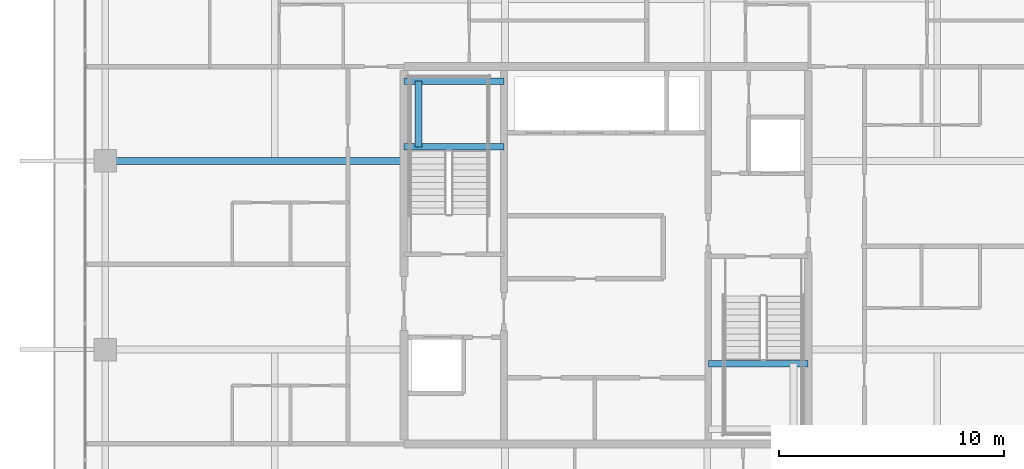
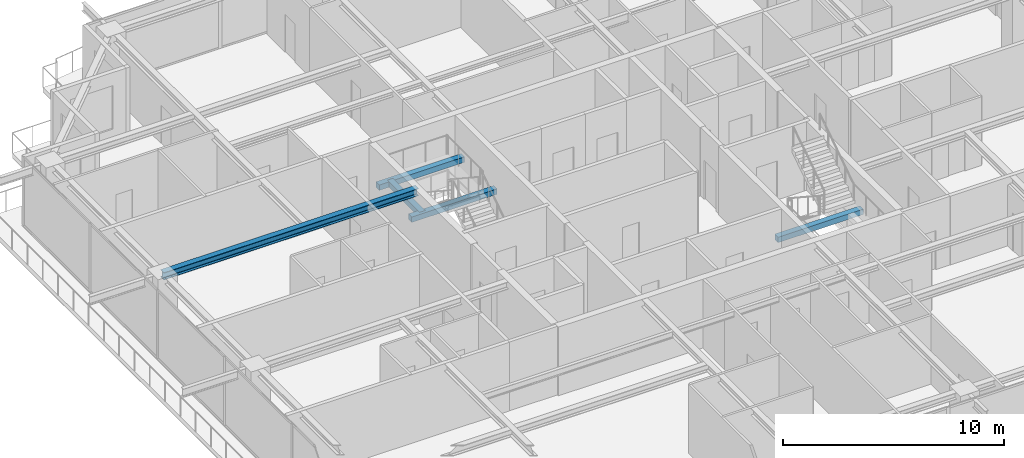
# One storey, part 11 of 39: 5 beams.
"""IFC4 building model written with IfcOpenShell, lengths in metres."""

from ifc_helpers import new_model, si_unit, direction, frame, origin, origin_2d, place, context, subcontext, project, spatial, rectangle, i_section, extrude, source, transform, mapped, material, material_profile, profile_set, type_object, element, save


model = new_model("IFC4")

# Units and contexts
model_context = context("Model", 3, precision=1e-05, world=origin(), true_north=direction((0.0, 1.0)))
body_context = subcontext(model_context, "Body", "Model", "MODEL_VIEW")
ifc_project = project(units=[si_unit("LENGTHUNIT", "METRE"), si_unit("AREAUNIT", "SQUARE_METRE"), si_unit("VOLUMEUNIT", "CUBIC_METRE"), si_unit("PLANEANGLEUNIT", "RADIAN"), si_unit("MASSUNIT", "GRAM", prefix="KILO")], contexts=[model_context])

# Site, building, storey
site_placement = place(None, origin())
site = spatial("IfcSite", under=ifc_project, at=site_placement, CompositionType="ELEMENT")
building_placement = place(site_placement, origin())
building = spatial("IfcBuilding", under=site, at=building_placement, Name="Serunith Strait Residences", CompositionType="ELEMENT")
storey_placement = place(building_placement, frame((0.0, 0.0, 329.89990234375)))
storey = spatial("IfcBuildingStorey", under=building, at=storey_placement, Name="L82", CompositionType="ELEMENT", Elevation=329.89990234375)

# Beams
ifc_material_1 = material(Name="Steel S355J2", Category="steel")
ifc_material_profile_1 = material_profile(ifc_material_1, i_section(OverallWidth=0.300048828125, OverallDepth=0.39990234375, WebThickness=0.013427734375, FlangeThickness=0.02392578125, FilletRadius=0.027099609375, at=origin_2d()), Name="HEB 400")
ifc_profile_set_1 = profile_set([ifc_material_profile_1], Name="Steel S355J2")
beam_type_1 = type_object("IfcBeamType", Name="BM-HEB400", PredefinedType="BEAM", material=ifc_profile_set_1)
shared_shape_1 = source(origin(), body_context, "Body", "SweptSolid", [
    extrude(i_section(OverallWidth=0.300048828125, OverallDepth=0.39990234375, WebThickness=0.013427734375, FlangeThickness=0.02392578125, FilletRadius=0.027099609375, at=origin_2d()), origin(), (0.0, 0.0, 1.0), 13.2998046875),
])
beam_1_placement = place(storey_placement, frame((23.39990234375, 29.39990234375, 3.587158203125), z_axis=(-1.0, 0.0, 0.0), x_axis=(0.0, -1.0, 0.0)))
element("IfcBeam", 1, at=beam_1_placement, inside=storey, type_object=beam_type_1, Name="L82 Primary Floor Girder TC-W3", PredefinedType="BEAM", context=body_context, shape_type="MappedRepresentation", body=[
    mapped(shared_shape_1, transform((0.0, 0.0, 0.0), scale=1.0)),
])
ifc_material_2 = material(Name="Concrete C60/75", Category="concrete")
ifc_material_profile_2 = material_profile(ifc_material_2, rectangle(XDim=0.300048828125, YDim=0.300048828125, at=origin_2d()), Name="RC 300x300")
ifc_profile_set_2 = profile_set([ifc_material_profile_2], Name="Concrete C60/75")
beam_type_2 = type_object("IfcBeamType", Name="BM-LAND-300x300", PredefinedType="BEAM", material=ifc_profile_set_2)
shared_shape_2 = source(origin(), body_context, "Body", "SweptSolid", [
    extrude(rectangle(XDim=0.300048828125, YDim=0.300048828125, at=origin_2d()), origin(), (0.0, 0.0, 1.0), 4.4501953125),
])
for number, where, z_axis, x_axis, name in (
    (2, (23.39990234375, 30.030029296875, 1.675048828125), (1.0, 0.0, 0.0), (0.0, 1.0, 0.0), "L82 ST-1 Landing Support Beam 1"),
    (3, (23.39990234375, 32.949951171875, 1.675048828125), (1.0, 0.0, 0.0), (0.0, 1.0, 0.0), "L82 ST-1 Landing Support Beam 2"),
):
    element("IfcBeam", number, at=place(storey_placement, frame(where, z_axis=z_axis, x_axis=x_axis)), inside=storey, type_object=beam_type_2, Name=name, PredefinedType="BEAM", context=body_context, shape_type="MappedRepresentation", body=[
        mapped(shared_shape_2, transform((0.0, 0.0, 0.0), scale=1.0)),
    ])
shared_shape_3 = source(origin(), body_context, "Body", "SweptSolid", [
    extrude(rectangle(XDim=0.300048828125, YDim=0.300048828125, at=origin_2d()), origin(), (0.0, 0.0, 1.0), 2.919921875),
])
beam_2_placement = place(storey_placement, frame((24.050048828125, 30.030029296875, 1.675048828125), z_axis=(0.0, 1.0, 0.0), x_axis=(-1.0, 0.0, 0.0)))
element("IfcBeam", 4, at=beam_2_placement, inside=storey, type_object=beam_type_2, Name="L82 ST-1 Landing Transverse Tie Beam", PredefinedType="BEAM", context=body_context, shape_type="MappedRepresentation", body=[
    mapped(shared_shape_3, transform((0.0, 0.0, 0.0), scale=1.0)),
])
shared_shape_4 = source(origin(), body_context, "Body", "SweptSolid", [
    extrude(rectangle(XDim=0.300048828125, YDim=0.300048828125, at=origin_2d()), origin(), (0.0, 0.0, 1.0), 4.449951171875),
])
beam_3_placement = place(storey_placement, frame((36.949951171875, 20.3701171875, 1.675048828125), z_axis=(1.0, 0.0, 0.0), x_axis=(0.0, 1.0, 0.0)))
element("IfcBeam", 5, at=beam_3_placement, inside=storey, type_object=beam_type_2, Name="L82 ST-2 Landing Support Beam 2", PredefinedType="BEAM", context=body_context, shape_type="MappedRepresentation", body=[
    mapped(shared_shape_4, transform((0.0, 0.0, 0.0), scale=1.0)),
])

save(model, "model.ifc")
